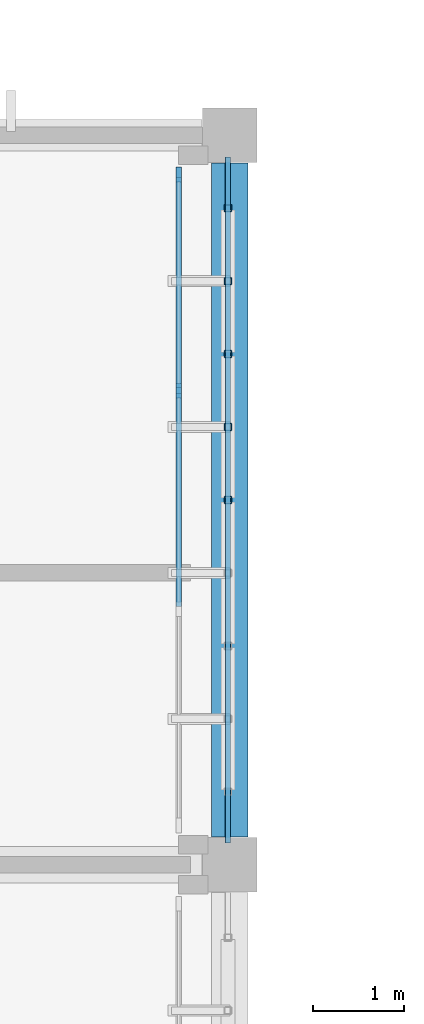
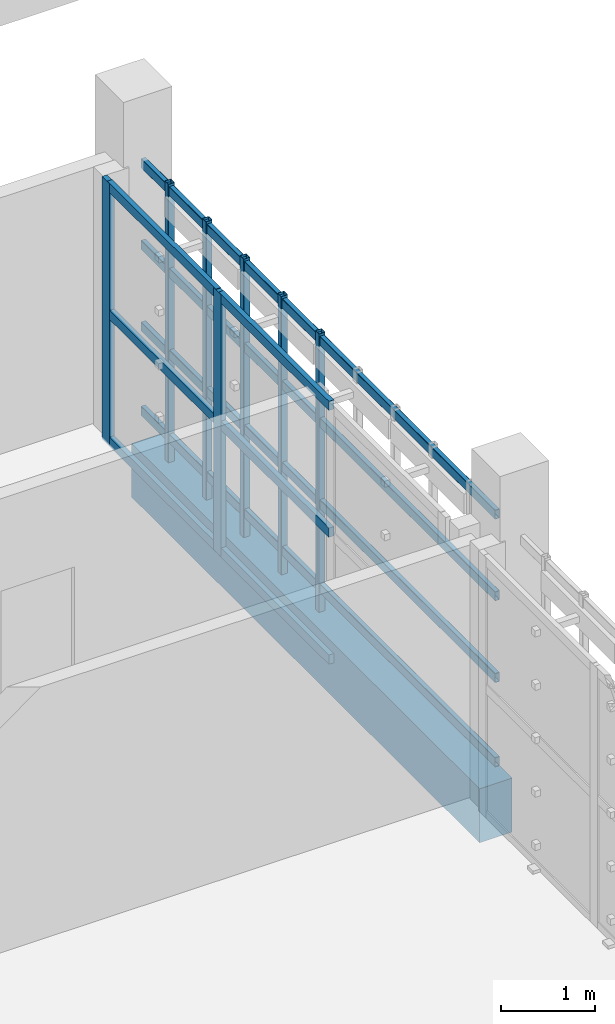
# One storey, part 31 of 83: 17 members, 1 beam, 1 element without a shape of its own.
"""IFC4 building model written with IfcOpenShell, lengths in metres."""

from ifc_helpers import new_model, si_unit, direction, frame, origin, origin_2d, place, context, subcontext, project, spatial, rectangle, hollow_rectangle, extrude, material, layer, layer_set, material_profile, profile_set, type_object, element, aggregate, save


model = new_model("IFC4")

# Units and contexts
model_context = context("Model", 3, precision=1e-05, world=origin(), true_north=direction((0.0, 1.0)))
body_context = subcontext(model_context, "Body", "Model", "MODEL_VIEW")
ifc_project = project(units=[si_unit("LENGTHUNIT", "METRE"), si_unit("AREAUNIT", "SQUARE_METRE"), si_unit("VOLUMEUNIT", "CUBIC_METRE"), si_unit("PLANEANGLEUNIT", "RADIAN"), si_unit("MASSUNIT", "GRAM", prefix="KILO")], contexts=[model_context])

# Site, building, storey
site_placement = place(None, origin())
site = spatial("IfcSite", under=ifc_project, at=site_placement, CompositionType="ELEMENT")
building_placement = place(site_placement, origin())
building = spatial("IfcBuilding", under=site, at=building_placement, Name="Jelvoka-Kovrelna Polytechnic", CompositionType="ELEMENT")
storey_placement = place(building_placement, frame((0.0, 0.0, 13.800048828125)))
storey = spatial("IfcBuildingStorey", under=building, at=storey_placement, Name="L04", CompositionType="ELEMENT", Elevation=13.800048828125)

# Beam
ifc_material_1 = material(Name="Concrete C40/50", Category="concrete")
ifc_material_profile_1 = material_profile(ifc_material_1, rectangle(XDim=0.39990234375, YDim=0.699951171875, at=origin_2d()), Name="RC 400x700")
ifc_profile_set_1 = profile_set([ifc_material_profile_1], Name="Concrete C40/50")
beam_type = type_object("IfcBeamType", Name="Beam_RC_400x700", PredefinedType="BEAM", material=ifc_profile_set_1)
beam_placement = place(storey_placement, frame((112.0, 40.304931640625, -0.60009765625), z_axis=(0.0, 1.0, 0.0), x_axis=(-1.0, 0.0, 0.0)))
element("IfcBeam", 1, at=beam_placement, inside=storey, type_object=beam_type, Name="L04 beam 1211", PredefinedType="BEAM", context=body_context, shape_type="SweptSolid", body=[
    extrude(rectangle(XDim=0.39990234375, YDim=0.699951171875, at=origin_2d()), origin(), (0.0, 0.0, 1.0), 7.39013671875),
])

# Members
ifc_material_2 = material(Name="Structural steel S355J2H", Category="steel")
ifc_material_profile_2 = material_profile(ifc_material_2, hollow_rectangle(XDim=0.06005859375, YDim=0.1201171875, WallThickness=0.0048828125, InnerFilletRadius=0.0048828125, OuterFilletRadius=0.007568359375, at=origin_2d()), Name="120x60x5.0 RHS")
ifc_profile_set_2 = profile_set([ifc_material_profile_2], Name="Structural steel S355J2H")
member_type_1 = type_object("IfcMemberType", Name="Member_Strut_RHS120", PredefinedType="STRUT", material=ifc_profile_set_2)
for number, where, z_axis, x_axis, name in (
    (2, (111.97998046875, 40.239990234375, 0.079833984375), (0.0, 1.0, 0.0), (-1.0, 0.0, 0.0), "L04 terracotta screen horizontal strut 0196"),
    (3, (111.97998046875, 40.239990234375, 1.17138671875), (0.0, 1.0, 0.0), (-1.0, 0.0, 0.0), "L04 terracotta screen horizontal strut 0197"),
    (4, (111.97998046875, 40.239990234375, 2.230712890625), (0.0, 1.0, 0.0), (-1.0, 0.0, 0.0), "L04 terracotta screen horizontal strut 0198"),
    (5, (111.97998046875, 40.239990234375, 3.2900390625), (0.0, 1.0, 0.0), (-1.0, 0.0, 0.0), "L04 terracotta screen horizontal strut 0199"),
):
    element("IfcMember", number, at=place(storey_placement, frame(where, z_axis=z_axis, x_axis=x_axis)), inside=storey, type_object=member_type_1, Name=name, PredefinedType="STRUT", context=body_context, shape_type="SweptSolid", body=[
        extrude(hollow_rectangle(XDim=0.06005859375, YDim=0.1201171875, WallThickness=0.0048828125, InnerFilletRadius=0.0048828125, OuterFilletRadius=0.007568359375, at=origin_2d()), origin(), (0.0, 0.0, 1.0), 7.52001953125),
    ])
ifc_material_3 = material(Name="Structural steel S355J2H", Category="steel")
ifc_material_profile_3 = material_profile(ifc_material_3, hollow_rectangle(XDim=0.080078125, YDim=0.080078125, WallThickness=0.0048828125, InnerFilletRadius=0.0048828125, OuterFilletRadius=0.007568359375, at=origin_2d()), Name="80x80x5.0 SHS")
ifc_profile_set_3 = profile_set([ifc_material_profile_3], Name="Structural steel S355J2H")
member_type_2 = type_object("IfcMemberType", Name="Member_Strut_SHS80", PredefinedType="STRUT", material=ifc_profile_set_3)
for number, where, z_axis, x_axis, name in (
    (6, (111.97998046875, 44.0, -0.22998046875), (0.0, 0.0, 1.0), (1.0, 0.0, 0.0), "L04 terracotta lattice vertical rib 0204"),
    (7, (111.97998046875, 44.800048828125, -0.22998046875), (0.0, 0.0, 1.0), (1.0, 0.0, 0.0), "L04 terracotta lattice vertical rib 0205"),
    (8, (111.97998046875, 45.60009765625, -0.22998046875), (0.0, 0.0, 1.0), (1.0, 0.0, 0.0), "L04 terracotta lattice vertical rib 0206"),
    (9, (111.97998046875, 46.39990234375, -0.22998046875), (0.0, 0.0, 1.0), (1.0, 0.0, 0.0), "L04 terracotta lattice vertical rib 0207"),
    (10, (111.97998046875, 47.199951171875, -0.22998046875), (0.0, 0.0, 1.0), (1.0, 0.0, 0.0), "L04 terracotta lattice vertical rib 0208"),
):
    element("IfcMember", number, at=place(storey_placement, frame(where, z_axis=z_axis, x_axis=x_axis)), inside=storey, type_object=member_type_2, Name=name, PredefinedType="STRUT", context=body_context, shape_type="SweptSolid", body=[
        extrude(hollow_rectangle(XDim=0.080078125, YDim=0.080078125, WallThickness=0.0048828125, InnerFilletRadius=0.0048828125, OuterFilletRadius=0.007568359375, at=origin_2d()), origin(), (0.0, 0.0, 1.0), 3.60986328125),
    ])

# Curtain wall, members
ifc_material_4 = material(Name="Anodised aluminium 6063-T6", Category="aluminium")
ifc_layer = layer(ifc_material_4, 0.159912109375)
ifc_layer_set = layer_set([ifc_layer], Name="Anodised aluminium 6063-T6")
curtain_wall_type = type_object("IfcCurtainWallType", Name="CW_Recessed_A", PredefinedType="NOTDEFINED", material=ifc_layer_set)
curtain_wall_placement = place(storey_placement, origin())
curtain_wall = element("IfcCurtainWall", 11, at=curtain_wall_placement, inside=storey, type_object=curtain_wall_type, Name="L04 glazed curtain wall 032", PredefinedType="NOTDEFINED")
ifc_material_5 = material(Name="Anodised aluminium 6063-T6", Category="aluminium")
ifc_material_profile_4 = material_profile(ifc_material_5, rectangle(XDim=0.06005859375, YDim=0.159912109375, at=origin_2d()), Name="ALU 60x160")
ifc_profile_set_4 = profile_set([ifc_material_profile_4], Name="Anodised aluminium 6063-T6")
member_type_3 = type_object("IfcMemberType", Name="Mullion_M-01", PredefinedType="MULLION", material=ifc_profile_set_4)
member_1_placement = place(storey_placement, frame((111.43994140625, 47.570068359375, -0.02490234375), z_axis=(0.0, 0.0, 1.0), x_axis=(1.0, 0.0, 0.0)))
member_1 = element("IfcMember", 12, at=member_1_placement, type_object=member_type_3, Name="CW-01 mullion 1", PredefinedType="MULLION", context=body_context, shape_type="SweptSolid", body=[
    extrude(rectangle(XDim=0.06005859375, YDim=0.159912109375, at=origin_2d()), origin(), (0.0, 0.0, 1.0), 3.39990234375),
])
member_2_placement = place(storey_placement, frame((111.43994140625, 45.199951171875, -0.02490234375), z_axis=(0.0, 0.0, 1.0), x_axis=(1.0, 0.0, 0.0)))
member_2 = element("IfcMember", 13, at=member_2_placement, type_object=member_type_3, Name="CW-01 mullion 2", PredefinedType="MULLION", context=body_context, shape_type="SweptSolid", body=[
    extrude(rectangle(XDim=0.06005859375, YDim=0.159912109375, at=origin_2d()), origin(), (0.0, 0.0, 1.0), 3.39990234375),
])
ifc_material_6 = material(Name="Anodised aluminium 6063-T6", Category="aluminium")
ifc_material_profile_5 = material_profile(ifc_material_6, rectangle(XDim=0.06005859375, YDim=0.1201171875, at=origin_2d()), Name="ALU 60x120")
ifc_profile_set_5 = profile_set([ifc_material_profile_5], Name="Anodised aluminium 6063-T6")
member_type_4 = type_object("IfcMemberType", Name="Transom_T-01", PredefinedType="USERDEFINED", material=ifc_profile_set_5)
member_3_placement = place(storey_placement, frame((111.43994140625, 47.5400390625, 0.030029296875), z_axis=(0.0, -1.0, 0.0), x_axis=(1.0, 0.0, 0.0)))
member_3 = element("IfcMember", 14, at=member_3_placement, type_object=member_type_4, Name="CW-01 transom 1.1", ObjectType="TRANSOM", PredefinedType="USERDEFINED", context=body_context, shape_type="SweptSolid", body=[
    extrude(rectangle(XDim=0.06005859375, YDim=0.1201171875, at=origin_2d()), origin(), (0.0, 0.0, 1.0), 2.31005859375),
])
member_4_placement = place(storey_placement, frame((111.43994140625, 47.5400390625, 1.675048828125), z_axis=(0.0, -1.0, 0.0), x_axis=(1.0, 0.0, 0.0)))
member_4 = element("IfcMember", 15, at=member_4_placement, type_object=member_type_4, Name="CW-01 transom 1.2", ObjectType="TRANSOM", PredefinedType="USERDEFINED", context=body_context, shape_type="SweptSolid", body=[
    extrude(rectangle(XDim=0.06005859375, YDim=0.1201171875, at=origin_2d()), origin(), (0.0, 0.0, 1.0), 2.31005859375),
])
member_5_placement = place(storey_placement, frame((111.43994140625, 47.5400390625, 3.320068359375), z_axis=(0.0, -1.0, 0.0), x_axis=(1.0, 0.0, 0.0)))
member_5 = element("IfcMember", 16, at=member_5_placement, type_object=member_type_4, Name="CW-01 transom 1.3", ObjectType="TRANSOM", PredefinedType="USERDEFINED", context=body_context, shape_type="SweptSolid", body=[
    extrude(rectangle(XDim=0.06005859375, YDim=0.1201171875, at=origin_2d()), origin(), (0.0, 0.0, 1.0), 2.31005859375),
])
member_6_placement = place(storey_placement, frame((111.43994140625, 45.169921875, 0.030029296875), z_axis=(0.0, -1.0, 0.0), x_axis=(1.0, 0.0, 0.0)))
member_6 = element("IfcMember", 17, at=member_6_placement, type_object=member_type_4, Name="CW-01 transom 2.1", ObjectType="TRANSOM", PredefinedType="USERDEFINED", context=body_context, shape_type="SweptSolid", body=[
    extrude(rectangle(XDim=0.06005859375, YDim=0.1201171875, at=origin_2d()), origin(), (0.0, 0.0, 1.0), 2.33984375),
])
member_7_placement = place(storey_placement, frame((111.43994140625, 45.169921875, 1.675048828125), z_axis=(0.0, -1.0, 0.0), x_axis=(1.0, 0.0, 0.0)))
member_7 = element("IfcMember", 18, at=member_7_placement, type_object=member_type_4, Name="CW-01 transom 2.2", ObjectType="TRANSOM", PredefinedType="USERDEFINED", context=body_context, shape_type="SweptSolid", body=[
    extrude(rectangle(XDim=0.06005859375, YDim=0.1201171875, at=origin_2d()), origin(), (0.0, 0.0, 1.0), 2.33984375),
])
member_8_placement = place(storey_placement, frame((111.43994140625, 45.169921875, 3.320068359375), z_axis=(0.0, -1.0, 0.0), x_axis=(1.0, 0.0, 0.0)))
member_8 = element("IfcMember", 19, at=member_8_placement, type_object=member_type_4, Name="CW-01 transom 2.3", ObjectType="TRANSOM", PredefinedType="USERDEFINED", context=body_context, shape_type="SweptSolid", body=[
    extrude(rectangle(XDim=0.06005859375, YDim=0.1201171875, at=origin_2d()), origin(), (0.0, 0.0, 1.0), 2.33984375),
])
aggregate(curtain_wall, [member_1, member_2, member_3, member_4, member_5, member_6, member_7, member_8])

save(model, "model.ifc")
